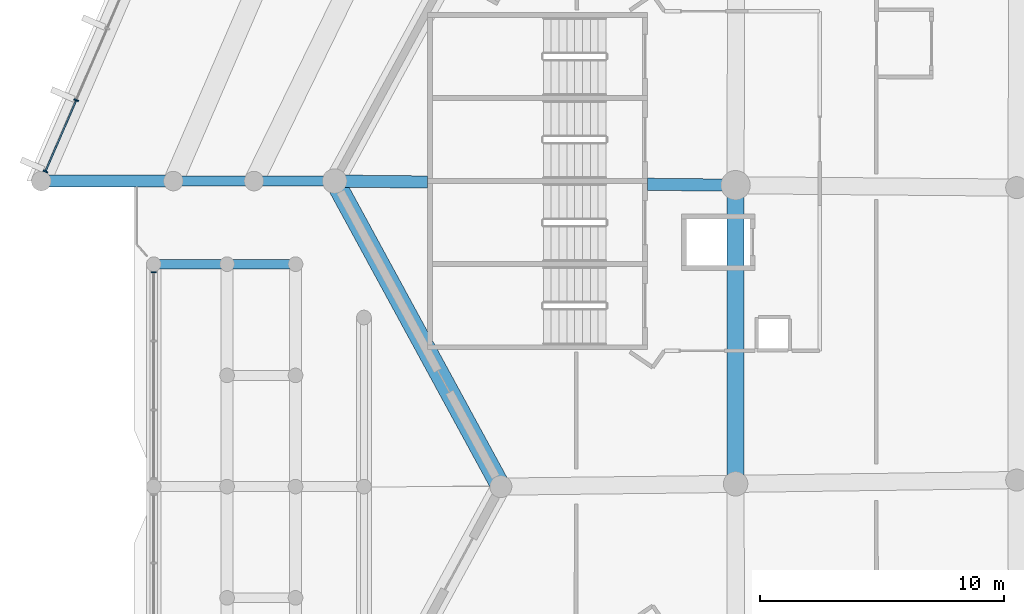
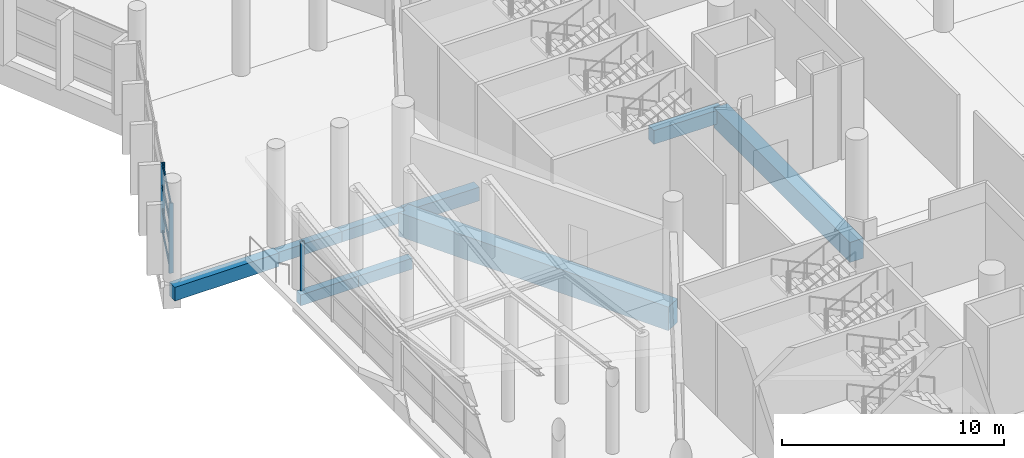
# One storey, part 36 of 271: 9 beams, 7 members, 2 elements without a shape of their own.
"""IFC4 building model written with IfcOpenShell, lengths in metres."""

from ifc_helpers import new_model, si_unit, direction, frame, origin, origin_2d, place, context, subcontext, project, spatial, rectangle, extrude, material, layer, layer_set, material_profile, profile_set, type_object, element, aggregate, save


model = new_model("IFC4")

# Units and contexts
model_context = context("Model", 3, precision=1e-05, world=origin(), true_north=direction((0.0, 1.0)))
body_context = subcontext(model_context, "Body", "Model", "MODEL_VIEW")
ifc_project = project(units=[si_unit("LENGTHUNIT", "METRE"), si_unit("AREAUNIT", "SQUARE_METRE"), si_unit("VOLUMEUNIT", "CUBIC_METRE"), si_unit("PLANEANGLEUNIT", "RADIAN"), si_unit("MASSUNIT", "GRAM", prefix="KILO")], contexts=[model_context])

# Site, building, storey
site_placement = place(None, origin())
site = spatial("IfcSite", under=ifc_project, at=site_placement, CompositionType="ELEMENT")
building_placement = place(site_placement, origin())
building = spatial("IfcBuilding", under=site, at=building_placement, Name="Meseta Stadium", CompositionType="ELEMENT")
storey_placement = place(building_placement, frame((0.0, 0.0, 6.5)))
storey = spatial("IfcBuildingStorey", under=building, at=storey_placement, Name="L01", CompositionType="ELEMENT", Elevation=6.5)

# Beams
ifc_material_1 = material(Name="Concrete C40/50", Category="concrete")
ifc_material_profile_1 = material_profile(ifc_material_1, rectangle(XDim=0.39990234375, YDim=0.60009765625, at=origin_2d()), Name="RC 400x600")
ifc_profile_set_1 = profile_set([ifc_material_profile_1], Name="Concrete C40/50")
beam_type_1 = type_object("IfcBeamType", Name="RC beam 400x600", PredefinedType="BEAM", material=ifc_profile_set_1)
for number, where, z_axis, x_axis, name in (
    (1, (-101.39990234375, 6.25, -0.64990234375), (-1.0, 0.0, 0.0), (0.0, -1.0, 0.0), "L01 radial beam frame 32 line R to M"),
    (2, (-104.699951171875, 6.25, -0.64990234375), (-1.0, 0.0, 0.0), (0.0, -1.0, 0.0), "L01 radial beam frame 32 line M to Q"),
):
    element("IfcBeam", number, at=place(storey_placement, frame(where, z_axis=z_axis, x_axis=x_axis)), inside=storey, type_object=beam_type_1, Name=name, PredefinedType="BEAM", context=body_context, shape_type="SweptSolid", body=[
        extrude(rectangle(XDim=0.39990234375, YDim=0.60009765625, at=origin_2d()), origin(), (0.0, 0.0, 1.0), 3.300048828125),
    ])
beam_1_placement = place(storey_placement, frame((-103.0, 2.85009765625, -0.64990234375), z_axis=(-1.0, 0.0, 0.0), x_axis=(0.0, -1.0, 0.0)))
element("IfcBeam", 3, at=beam_1_placement, inside=storey, type_object=beam_type_1, Name="Gate 5 floor beam", PredefinedType="BEAM", context=body_context, shape_type="SweptSolid", body=[
    extrude(rectangle(XDim=0.39990234375, YDim=0.60009765625, at=origin_2d()), origin(), (0.0, 0.0, 1.0), 2.800048828125),
])
beam_2_placement = place(storey_placement, frame((-105.800048828125, 2.85009765625, -0.64990234375), z_axis=(-1.0, 0.0, 0.0), x_axis=(0.0, -1.0, 0.0)))
element("IfcBeam", 4, at=beam_2_placement, inside=storey, type_object=beam_type_1, Name="Gate 5 floor beam", PredefinedType="BEAM", context=body_context, shape_type="SweptSolid", body=[
    extrude(rectangle(XDim=0.39990234375, YDim=0.60009765625, at=origin_2d()), origin(), (0.0, 0.0, 1.0), 3.0),
])
ifc_material_2 = material(Name="Concrete C40/50", Category="concrete")
ifc_material_profile_2 = material_profile(ifc_material_2, rectangle(XDim=0.5, YDim=0.75, at=origin_2d()), Name="RC 500x750")
ifc_profile_set_2 = profile_set([ifc_material_profile_2], Name="Concrete C40/50")
beam_type_2 = type_object("IfcBeamType", Name="RC beam 500x750", PredefinedType="BEAM", material=ifc_profile_set_2)
beam_3_placement = place(storey_placement, frame((-84.99755859375, 6.081298828125, -0.72509765625), z_axis=(-0.999946950007, 0.010300348089, 0.0), x_axis=(-0.010300348089, -0.999946950007, 0.0)))
element("IfcBeam", 5, at=beam_3_placement, inside=storey, type_object=beam_type_2, Name="L01 radial beam frame 32 line P to R", PredefinedType="BEAM", context=body_context, shape_type="SweptSolid", body=[
    extrude(rectangle(XDim=0.5, YDim=0.75, at=origin_2d()), origin(), (0.0, 0.0, 1.0), 3.602783203125),
])
beam_4_placement = place(storey_placement, frame((-97.60009765625, 6.2109375, -0.72509765625), z_axis=(-0.999947163614, 0.010279590477, 0.0), x_axis=(-0.010279590477, -0.999947163614, 0.0)))
element("IfcBeam", 6, at=beam_4_placement, inside=storey, type_object=beam_type_2, Name="L01 radial beam frame 32 line P to R", PredefinedType="BEAM", context=body_context, shape_type="SweptSolid", body=[
    extrude(rectangle(XDim=0.5, YDim=0.75, at=origin_2d()), origin(), (0.0, 0.0, 1.0), 3.800048828125),
])
beam_5_placement = place(storey_placement, frame((-108.0, 6.25, -0.72509765625), z_axis=(-1.0, 0.0, 0.0), x_axis=(0.0, -1.0, 0.0)))
element("IfcBeam", 7, at=beam_5_placement, inside=storey, type_object=beam_type_2, Name="L01 radial beam frame 32 line Q to O", PredefinedType="BEAM", context=body_context, shape_type="SweptSolid", body=[
    extrude(rectangle(XDim=0.5, YDim=0.75, at=origin_2d()), origin(), (0.0, 0.0, 1.0), 5.39990234375),
])
ifc_material_3 = material(Name="Concrete C40/50", Category="concrete")
ifc_material_profile_3 = material_profile(ifc_material_3, rectangle(XDim=0.699951171875, YDim=1.10009765625, at=origin_2d()), Name="RC 700x1100")
ifc_profile_set_3 = profile_set([ifc_material_profile_3], Name="Concrete C40/50")
beam_type_3 = type_object("IfcBeamType", Name="RC beam 700x1100", PredefinedType="BEAM", material=ifc_profile_set_3)
beam_6_placement = place(storey_placement, frame((-84.99755859375, 6.081298828125, -0.89990234375), z_axis=(3.9962435e-05, -0.999999999202, 0.0), x_axis=(0.999999999202, 3.9962435e-05, 0.0)))
element("IfcBeam", 8, at=beam_6_placement, inside=storey, type_object=beam_type_3, Name="L01 ring beam frame 32 line P", PredefinedType="BEAM", context=body_context, shape_type="SweptSolid", body=[
    extrude(rectangle(XDim=0.699951171875, YDim=1.10009765625, at=origin_2d()), origin(), (0.0, 0.0, 1.0), 12.218505859375),
])
ifc_material_4 = material(Name="Concrete C40/50", Category="concrete")
ifc_material_profile_4 = material_profile(ifc_material_4, rectangle(XDim=0.800048828125, YDim=1.300048828125, at=origin_2d()), Name="RC 800x1300")
ifc_profile_set_4 = profile_set([ifc_material_profile_4], Name="Concrete C40/50")
beam_type_4 = type_object("IfcBeamType", Name="RC beam 800x1300", PredefinedType="BEAM", material=ifc_profile_set_4)
beam_7_placement = place(storey_placement, frame((-101.39990234375, 6.25, -1.0), z_axis=(0.47785649891, -0.878437912689, 0.0), x_axis=(0.878437912689, 0.47785649891, 0.0)))
element("IfcBeam", 9, at=beam_7_placement, inside=storey, type_object=beam_type_4, Name="L01 ring beam frame 32 line R", PredefinedType="BEAM", context=body_context, shape_type="SweptSolid", body=[
    extrude(rectangle(XDim=0.800048828125, YDim=1.300048828125, at=origin_2d()), origin(), (0.0, 0.0, 1.0), 14.229736328125),
])

# Curtain wall, members
ifc_material_5 = material(Name="Aluminium", Category="aluminium")
ifc_layer_1 = layer(ifc_material_5, 0.199951171875)
ifc_layer_set_1 = layer_set([ifc_layer_1], Name="Ring shopfront curtain wall")
curtain_wall_type_1 = type_object("IfcCurtainWallType", Name="Ring shopfront curtain wall", PredefinedType="NOTDEFINED", material=ifc_layer_set_1)
curtain_wall_1_placement = place(storey_placement, origin())
curtain_wall_1 = element("IfcCurtainWall", 10, at=curtain_wall_1_placement, inside=storey, type_object=curtain_wall_type_1, Name="Ring glazing L01 F31", PredefinedType="NOTDEFINED")
ifc_material_6 = material(Name="Aluminium", Category="aluminium")
ifc_material_profile_5 = material_profile(ifc_material_6, rectangle(XDim=0.199951171875, YDim=0.06005859375, at=origin_2d()), Name="CW 200x60")
ifc_profile_set_5 = profile_set([ifc_material_profile_5], Name="Aluminium")
member_type_1 = type_object("IfcMemberType", Name="Ring CW mullion 60x200", PredefinedType="MULLION", material=ifc_profile_set_5)
member_1_placement = place(storey_placement, frame((-111.970703125, 9.55859375, 0.0), z_axis=(0.0, 0.0, 1.0), x_axis=(0.91799986854, -0.396580687073, 0.0)))
member_1 = element("IfcMember", 11, at=member_1_placement, type_object=member_type_1, Name="CWR1 mullion 4", PredefinedType="MULLION", context=body_context, shape_type="SweptSolid", body=[
    extrude(rectangle(XDim=0.199951171875, YDim=0.06005859375, at=origin_2d()), origin(), (0.0, 0.0, 1.0), 3.85009765625),
])
member_2_placement = place(storey_placement, frame((-113.2294921875, 6.644775390625, 0.0), z_axis=(0.0, 0.0, 1.0), x_axis=(0.91799986854, -0.396580687073, 0.0)))
member_2 = element("IfcMember", 12, at=member_2_placement, type_object=member_type_1, Name="CWR1 mullion 5", PredefinedType="MULLION", context=body_context, shape_type="SweptSolid", body=[
    extrude(rectangle(XDim=0.199951171875, YDim=0.06005859375, at=origin_2d()), origin(), (0.0, 0.0, 1.0), 3.85009765625),
])

# Curtain wall, member
ifc_material_7 = material(Name="Aluminium", Category="aluminium")
ifc_layer_2 = layer(ifc_material_7, 0.199951171875)
ifc_layer_set_2 = layer_set([ifc_layer_2], Name="Gate hall curtain wall")
curtain_wall_type_2 = type_object("IfcCurtainWallType", Name="Gate hall curtain wall", PredefinedType="NOTDEFINED", material=ifc_layer_set_2)
curtain_wall_2_placement = place(storey_placement, origin())
curtain_wall_2 = element("IfcCurtainWall", 13, at=curtain_wall_2_placement, inside=storey, type_object=curtain_wall_type_2, Name="Gate 5 hall glazing", PredefinedType="NOTDEFINED")
member_3_placement = place(storey_placement, frame((-108.800048828125, 2.52001953125, 0.0), z_axis=(0.0, 0.0, 1.0), x_axis=(-1.0, 0.0, 0.0)))
member_3 = element("IfcMember", 14, at=member_3_placement, type_object=member_type_1, Name="CWG1 mullion 4", PredefinedType="MULLION", context=body_context, shape_type="SweptSolid", body=[
    extrude(rectangle(XDim=0.199951171875, YDim=0.06005859375, at=origin_2d()), origin(), (0.0, 0.0, 1.0), 2.696044921875),
])
aggregate(curtain_wall_2, [member_3])

# Member
ifc_material_8 = material(Name="Aluminium", Category="aluminium")
ifc_material_profile_6 = material_profile(ifc_material_8, rectangle(XDim=0.06005859375, YDim=0.14990234375, at=origin_2d()), Name="CW 60x150")
ifc_profile_set_6 = profile_set([ifc_material_profile_6], Name="Aluminium")
member_type_2 = type_object("IfcMemberType", Name="Ring CW transom 60x150", PredefinedType="USERDEFINED", material=ifc_profile_set_6)
member_4_placement = place(storey_placement, frame((-111.982666015625, 9.531005859375, 0.074951171875), z_axis=(-0.396557660608, -0.91800981575, 0.0), x_axis=(0.91800981575, -0.396557660608, 0.0)))
member_4 = element("IfcMember", 15, at=member_4_placement, type_object=member_type_2, Name="CWR1 transom 4.1", ObjectType="TRANSOM", PredefinedType="USERDEFINED", context=body_context, shape_type="SweptSolid", body=[
    extrude(rectangle(XDim=0.06005859375, YDim=0.14990234375, at=origin_2d()), origin(), (0.0, 0.0, 1.0), 3.114013671875),
])

member_5_placement = place(storey_placement, frame((-111.982666015625, 9.531005859375, 1.283447265625), z_axis=(-0.396557660608, -0.91800981575, 0.0), x_axis=(0.91800981575, -0.396557660608, 0.0)))
member_5 = element("IfcMember", 16, at=member_5_placement, type_object=member_type_2, Name="CWR1 transom 4.2", ObjectType="TRANSOM", PredefinedType="USERDEFINED", context=body_context, shape_type="SweptSolid", body=[
    extrude(rectangle(XDim=0.06005859375, YDim=0.14990234375, at=origin_2d()), origin(), (0.0, 0.0, 1.0), 3.114013671875),
])

member_6_placement = place(storey_placement, frame((-111.982666015625, 9.531005859375, 2.566650390625), z_axis=(-0.396557660608, -0.91800981575, 0.0), x_axis=(0.91800981575, -0.396557660608, 0.0)))
member_6 = element("IfcMember", 17, at=member_6_placement, type_object=member_type_2, Name="CWR1 transom 4.3", ObjectType="TRANSOM", PredefinedType="USERDEFINED", context=body_context, shape_type="SweptSolid", body=[
    extrude(rectangle(XDim=0.06005859375, YDim=0.14990234375, at=origin_2d()), origin(), (0.0, 0.0, 1.0), 3.114013671875),
])

member_7_placement = place(storey_placement, frame((-111.982666015625, 9.531005859375, 3.77490234375), z_axis=(-0.396557660608, -0.91800981575, 0.0), x_axis=(0.91800981575, -0.396557660608, 0.0)))
member_7 = element("IfcMember", 18, at=member_7_placement, type_object=member_type_2, Name="CWR1 transom 4.4", ObjectType="TRANSOM", PredefinedType="USERDEFINED", context=body_context, shape_type="SweptSolid", body=[
    extrude(rectangle(XDim=0.06005859375, YDim=0.14990234375, at=origin_2d()), origin(), (0.0, 0.0, 1.0), 3.114013671875),
])

aggregate(curtain_wall_1, [member_1, member_2, member_4, member_5, member_6, member_7])

save(model, "model.ifc")
